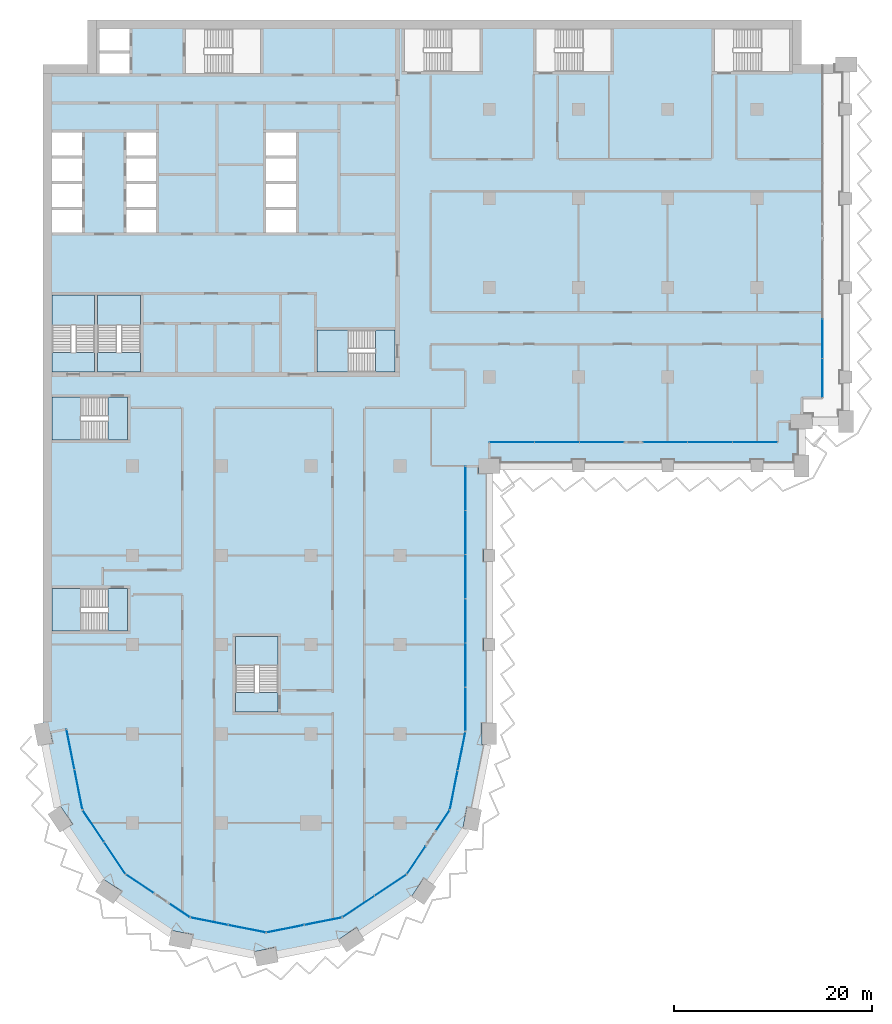
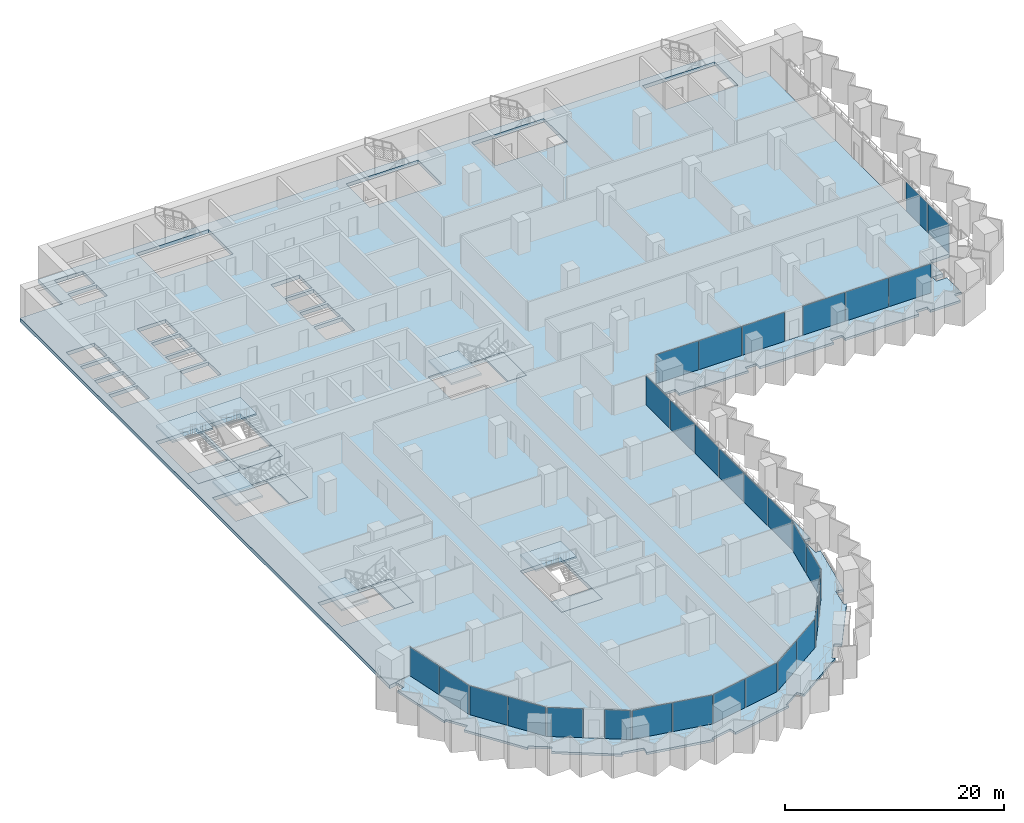
# One storey, part 7 of 22: 30 plates, 15 slabs, 20 elements without a shape of their own.
"""IFC4 building model written with IfcOpenShell, lengths in metres."""

from ifc_helpers import new_model, si_unit, direction, frame, origin, origin_2d, place, context, subcontext, project, spatial, polyline, rectangle, outline, extrude, material, layer, layer_set, type_object, element, aggregate, save


model = new_model("IFC4")

# Units and contexts
model_context = context("Model", 3, precision=1e-05, world=origin(), true_north=direction((0.0, 1.0)))
body_context = subcontext(model_context, "Body", "Model", "MODEL_VIEW")
ifc_project = project(units=[si_unit("LENGTHUNIT", "METRE"), si_unit("AREAUNIT", "SQUARE_METRE"), si_unit("VOLUMEUNIT", "CUBIC_METRE"), si_unit("PLANEANGLEUNIT", "RADIAN"), si_unit("MASSUNIT", "GRAM", prefix="KILO")], contexts=[model_context])

# Site, building, storey
site_placement = place(None, origin())
site = spatial("IfcSite", under=ifc_project, at=site_placement, CompositionType="ELEMENT")
building_placement = place(site_placement, origin())
building = spatial("IfcBuilding", under=site, at=building_placement, Name="Hunhe Ridgeline Campus", CompositionType="ELEMENT")
storey_placement = place(building_placement, frame((0.0, 0.0, 118.10009765625)))
storey = spatial("IfcBuildingStorey", under=building, at=storey_placement, Name="L29", CompositionType="ELEMENT", Elevation=118.10009765625)

# Curtain wall, plates
ifc_material_1 = material(Name="Aluminium 6063", Category="aluminium")
curtain_wall_type_1 = type_object("IfcCurtainWallType", Name="Curtain wall CW-5", PredefinedType="NOTDEFINED", material=ifc_material_1)
curtain_wall_1_placement = place(storey_placement, origin())
curtain_wall_1 = element("IfcCurtainWall", 1, at=curtain_wall_1_placement, inside=storey, type_object=curtain_wall_type_1, Name="Curtain wall 01", PredefinedType="NOTDEFINED")
ifc_material_2 = material(Name="Low-e laminated glass", Category="glass")
ifc_layer_1 = layer(ifc_material_2, 0.028076171875)
ifc_layer_set_1 = layer_set([ifc_layer_1], Name="Curtain wall glass panel 28 low-e laminated")
plate_type = type_object("IfcPlateType", Name="Curtain wall glass panel 28 low-e laminated", PredefinedType="CURTAIN_PANEL", material=ifc_layer_set_1)
plate_1_placement = place(storey_placement, frame((2.76318359375, 25.416015625, 0.0), z_axis=(0.0, 0.0, 1.0), x_axis=(0.195095347137, -0.980784280831, 0.0)))
plate_1 = element("IfcPlate", 2, at=plate_1_placement, type_object=plate_type, Name="CW-5 panel 1", PredefinedType="CURTAIN_PANEL", context=body_context, shape_type="SweptSolid", body=[
    extrude(rectangle(XDim=4.0458984375, YDim=0.028076171875, at=origin_2d()), origin(), (0.0, 0.0, 1.0), 3.22998046875),
])
plate_2_placement = place(storey_placement, frame((3.566162109375, 21.379150390625, 0.0), z_axis=(0.0, 0.0, 1.0), x_axis=(0.195095347137, -0.980784280831, 0.0)))
plate_2 = element("IfcPlate", 3, at=plate_2_placement, type_object=plate_type, Name="CW-5 panel 2", PredefinedType="CURTAIN_PANEL", context=body_context, shape_type="SweptSolid", body=[
    extrude(rectangle(XDim=4.0458984375, YDim=0.028076171875, at=origin_2d()), origin(), (0.0, 0.0, 1.0), 3.22998046875),
])
aggregate(curtain_wall_1, [plate_1, plate_2])

curtain_wall_2_placement = place(storey_placement, origin())
curtain_wall_2 = element("IfcCurtainWall", 4, at=curtain_wall_2_placement, inside=storey, type_object=curtain_wall_type_1, Name="Curtain wall 02", PredefinedType="NOTDEFINED")
plate_3_placement = place(storey_placement, frame((5.07080078125, 17.685546875, 0.0), z_axis=(0.0, 0.0, 1.0), x_axis=(0.555570274596, -0.831469584522, 0.0)))
plate_3 = element("IfcPlate", 5, at=plate_3_placement, type_object=plate_type, Name="CW-5 panel 1", PredefinedType="CURTAIN_PANEL", context=body_context, shape_type="SweptSolid", body=[
    extrude(rectangle(XDim=3.806884765625, YDim=0.028076171875, at=origin_2d()), origin(), (0.0, 0.0, 1.0), 3.22998046875),
])
plate_4_placement = place(storey_placement, frame((7.224609375, 14.4619140625, 0.0), z_axis=(0.0, 0.0, 1.0), x_axis=(0.555570274596, -0.831469584522, 0.0)))
plate_4 = element("IfcPlate", 6, at=plate_4_placement, type_object=plate_type, Name="CW-5 panel 2", PredefinedType="CURTAIN_PANEL", context=body_context, shape_type="SweptSolid", body=[
    extrude(rectangle(XDim=3.806884765625, YDim=0.028076171875, at=origin_2d()), origin(), (0.0, 0.0, 1.0), 3.22998046875),
])
aggregate(curtain_wall_2, [plate_3, plate_4])

# Curtain wall, plate
curtain_wall_3_placement = place(storey_placement, origin())
curtain_wall_3 = element("IfcCurtainWall", 7, at=curtain_wall_3_placement, inside=storey, type_object=curtain_wall_type_1, Name="Curtain wall 03", PredefinedType="NOTDEFINED")
plate_5_placement = place(storey_placement, frame((9.76025390625, 11.859375, 0.0), z_axis=(0.0, 0.0, 1.0), x_axis=(0.831469595944, -0.555570257501, 0.0)))
plate_5 = element("IfcPlate", 8, at=plate_5_placement, type_object=plate_type, Name="CW-5 panel 1", PredefinedType="CURTAIN_PANEL", context=body_context, shape_type="SweptSolid", body=[
    extrude(rectangle(XDim=3.322021484375, YDim=0.028076171875, at=origin_2d()), origin(), (0.0, 0.0, 1.0), 3.22998046875),
])
aggregate(curtain_wall_3, [plate_5])

curtain_wall_4_placement = place(storey_placement, origin())
curtain_wall_4 = element("IfcCurtainWall", 9, at=curtain_wall_4_placement, inside=storey, type_object=curtain_wall_type_1, Name="Curtain wall 04", PredefinedType="NOTDEFINED")
plate_6_placement = place(storey_placement, frame((13.761474609375, 9.18603515625, 0.0), z_axis=(0.0, 0.0, 1.0), x_axis=(0.831469510353, -0.555570385598, 0.0)))
plate_6 = element("IfcPlate", 10, at=plate_6_placement, type_object=plate_type, Name="CW-5 panel 1", PredefinedType="CURTAIN_PANEL", context=body_context, shape_type="SweptSolid", body=[
    extrude(rectangle(XDim=2.421875, YDim=0.028076171875, at=origin_2d()), origin(), (0.0, 0.0, 1.0), 3.22998046875),
])
aggregate(curtain_wall_4, [plate_6])

# Curtain wall, plates
curtain_wall_5_placement = place(storey_placement, origin())
curtain_wall_5 = element("IfcCurtainWall", 11, at=curtain_wall_5_placement, inside=storey, type_object=curtain_wall_type_1, Name="Curtain wall 05", PredefinedType="NOTDEFINED")
plate_7_placement = place(storey_placement, frame((16.761962890625, 8.08935546875, 0.0), z_axis=(0.0, 0.0, 1.0), x_axis=(0.980785275326, -0.195090347539, 0.0)))
plate_7 = element("IfcPlate", 12, at=plate_7_placement, type_object=plate_type, Name="CW-5 panel 1", PredefinedType="CURTAIN_PANEL", context=body_context, shape_type="SweptSolid", body=[
    extrude(rectangle(XDim=3.806884765625, YDim=0.028076171875, at=origin_2d()), origin(), (0.0, 0.0, 1.0), 3.22998046875),
])
plate_8_placement = place(storey_placement, frame((20.564453125, 7.3330078125, 0.0), z_axis=(0.0, 0.0, 1.0), x_axis=(0.980785275326, -0.195090347539, 0.0)))
plate_8 = element("IfcPlate", 13, at=plate_8_placement, type_object=plate_type, Name="CW-5 panel 2", PredefinedType="CURTAIN_PANEL", context=body_context, shape_type="SweptSolid", body=[
    extrude(rectangle(XDim=3.806884765625, YDim=0.028076171875, at=origin_2d()), origin(), (0.0, 0.0, 1.0), 3.22998046875),
])
aggregate(curtain_wall_5, [plate_7, plate_8])

curtain_wall_6_placement = place(storey_placement, origin())
curtain_wall_6 = element("IfcCurtainWall", 14, at=curtain_wall_6_placement, inside=storey, type_object=curtain_wall_type_1, Name="Curtain wall 06", PredefinedType="NOTDEFINED")
plate_9_placement = place(storey_placement, frame((24.435546875, 7.3330078125, 0.0), z_axis=(0.0, 0.0, 1.0), x_axis=(0.980785275326, 0.195090347539, 0.0)))
plate_9 = element("IfcPlate", 15, at=plate_9_placement, type_object=plate_type, Name="CW-5 panel 1", PredefinedType="CURTAIN_PANEL", context=body_context, shape_type="SweptSolid", body=[
    extrude(rectangle(XDim=3.806884765625, YDim=0.028076171875, at=origin_2d()), origin(), (0.0, 0.0, 1.0), 3.22998046875),
])
plate_10_placement = place(storey_placement, frame((28.238037109375, 8.08935546875, 0.0), z_axis=(0.0, 0.0, 1.0), x_axis=(0.980785275326, 0.195090347539, 0.0)))
plate_10 = element("IfcPlate", 16, at=plate_10_placement, type_object=plate_type, Name="CW-5 panel 2", PredefinedType="CURTAIN_PANEL", context=body_context, shape_type="SweptSolid", body=[
    extrude(rectangle(XDim=3.806884765625, YDim=0.028076171875, at=origin_2d()), origin(), (0.0, 0.0, 1.0), 3.22998046875),
])
aggregate(curtain_wall_6, [plate_9, plate_10])

curtain_wall_7_placement = place(storey_placement, origin())
curtain_wall_7 = element("IfcCurtainWall", 17, at=curtain_wall_7_placement, inside=storey, type_object=curtain_wall_type_1, Name="Curtain wall 07", PredefinedType="NOTDEFINED")
plate_11_placement = place(storey_placement, frame((31.814453125, 9.57080078125, 0.0), z_axis=(0.0, 0.0, 1.0), x_axis=(0.831469584522, 0.555570274596, 0.0)))
plate_11 = element("IfcPlate", 18, at=plate_11_placement, type_object=plate_type, Name="CW-5 panel 1", PredefinedType="CURTAIN_PANEL", context=body_context, shape_type="SweptSolid", body=[
    extrude(rectangle(XDim=3.806884765625, YDim=0.028076171875, at=origin_2d()), origin(), (0.0, 0.0, 1.0), 3.22998046875),
])
plate_12_placement = place(storey_placement, frame((35.0380859375, 11.724609375, 0.0), z_axis=(0.0, 0.0, 1.0), x_axis=(0.831469584522, 0.555570274596, 0.0)))
plate_12 = element("IfcPlate", 19, at=plate_12_placement, type_object=plate_type, Name="CW-5 panel 2", PredefinedType="CURTAIN_PANEL", context=body_context, shape_type="SweptSolid", body=[
    extrude(rectangle(XDim=3.806884765625, YDim=0.028076171875, at=origin_2d()), origin(), (0.0, 0.0, 1.0), 3.22998046875),
])
aggregate(curtain_wall_7, [plate_11, plate_12])

# Curtain wall, plate
curtain_wall_8_placement = place(storey_placement, origin())
curtain_wall_8 = element("IfcCurtainWall", 20, at=curtain_wall_8_placement, inside=storey, type_object=curtain_wall_type_1, Name="Curtain wall 08", PredefinedType="NOTDEFINED")
plate_13_placement = place(storey_placement, frame((37.640625, 14.26025390625, 0.0), z_axis=(0.0, 0.0, 1.0), x_axis=(0.555570257501, 0.831469595944, 0.0)))
plate_13 = element("IfcPlate", 21, at=plate_13_placement, type_object=plate_type, Name="CW-5 panel 1", PredefinedType="CURTAIN_PANEL", context=body_context, shape_type="SweptSolid", body=[
    extrude(rectangle(XDim=3.322021484375, YDim=0.028076171875, at=origin_2d()), origin(), (0.0, 0.0, 1.0), 3.22998046875),
])
aggregate(curtain_wall_8, [plate_13])

curtain_wall_9_placement = place(storey_placement, origin())
curtain_wall_9 = element("IfcCurtainWall", 22, at=curtain_wall_9_placement, inside=storey, type_object=curtain_wall_type_1, Name="Curtain wall 09", PredefinedType="NOTDEFINED")
plate_14_placement = place(storey_placement, frame((40.31396484375, 18.261474609375, 0.0), z_axis=(0.0, 0.0, 1.0), x_axis=(0.555570385598, 0.831469510353, 0.0)))
plate_14 = element("IfcPlate", 23, at=plate_14_placement, type_object=plate_type, Name="CW-5 panel 1", PredefinedType="CURTAIN_PANEL", context=body_context, shape_type="SweptSolid", body=[
    extrude(rectangle(XDim=2.421875, YDim=0.028076171875, at=origin_2d()), origin(), (0.0, 0.0, 1.0), 3.22998046875),
])
aggregate(curtain_wall_9, [plate_14])

# Curtain wall, plates
curtain_wall_10_placement = place(storey_placement, origin())
curtain_wall_10 = element("IfcCurtainWall", 24, at=curtain_wall_10_placement, inside=storey, type_object=curtain_wall_type_1, Name="Curtain wall 10", PredefinedType="NOTDEFINED")
plate_15_placement = place(storey_placement, frame((41.42236328125, 21.321044921875, 0.0), z_axis=(0.0, 0.0, 1.0), x_axis=(0.195090299215, 0.980785284939, 0.0)))
plate_15 = element("IfcPlate", 25, at=plate_15_placement, type_object=plate_type, Name="CW-5 panel 1", PredefinedType="CURTAIN_PANEL", context=body_context, shape_type="SweptSolid", body=[
    extrude(rectangle(XDim=3.927490234375, YDim=0.028076171875, at=origin_2d()), origin(), (0.0, 0.0, 1.0), 3.22998046875),
])
plate_16_placement = place(storey_placement, frame((42.2021484375, 25.24169921875, 0.0), z_axis=(0.0, 0.0, 1.0), x_axis=(0.195090299215, 0.980785284939, 0.0)))
plate_16 = element("IfcPlate", 26, at=plate_16_placement, type_object=plate_type, Name="CW-5 panel 2", PredefinedType="CURTAIN_PANEL", context=body_context, shape_type="SweptSolid", body=[
    extrude(rectangle(XDim=3.927490234375, YDim=0.028076171875, at=origin_2d()), origin(), (0.0, 0.0, 1.0), 3.22998046875),
])
aggregate(curtain_wall_10, [plate_15, plate_16])

curtain_wall_type_2 = type_object("IfcCurtainWallType", Name="Curtain wall CW-1", PredefinedType="NOTDEFINED", material=ifc_material_1)
curtain_wall_11_placement = place(storey_placement, origin())
curtain_wall_11 = element("IfcCurtainWall", 27, at=curtain_wall_11_placement, inside=storey, type_object=curtain_wall_type_2, Name="Curtain wall 11", PredefinedType="NOTDEFINED")
plate_17_placement = place(storey_placement, frame((42.59912109375, 29.48193359375, 0.0), z_axis=(0.0, 0.0, 1.0), x_axis=(1.0947456e-05, 0.99999999994, 0.0)))
plate_17 = element("IfcPlate", 28, at=plate_17_placement, type_object=plate_type, Name="CW-1 panel 1", PredefinedType="CURTAIN_PANEL", context=body_context, shape_type="SweptSolid", body=[
    extrude(rectangle(XDim=4.37060546875, YDim=0.028076171875, at=origin_2d()), origin(), (0.0, 0.0, 1.0), 3.239990234375),
])
plate_18_placement = place(storey_placement, frame((42.59912109375, 33.927490234375, 0.0), z_axis=(0.0, 0.0, 1.0), x_axis=(1.0947456e-05, 0.99999999994, 0.0)))
plate_18 = element("IfcPlate", 29, at=plate_18_placement, type_object=plate_type, Name="CW-1 panel 2", PredefinedType="CURTAIN_PANEL", context=body_context, shape_type="SweptSolid", body=[
    extrude(rectangle(XDim=4.400634765625, YDim=0.028076171875, at=origin_2d()), origin(), (0.0, 0.0, 1.0), 3.239990234375),
])
plate_19_placement = place(storey_placement, frame((42.59912109375, 38.38818359375, 0.0), z_axis=(0.0, 0.0, 1.0), x_axis=(1.0947456e-05, 0.99999999994, 0.0)))
plate_19 = element("IfcPlate", 30, at=plate_19_placement, type_object=plate_type, Name="CW-1 panel 3", PredefinedType="CURTAIN_PANEL", context=body_context, shape_type="SweptSolid", body=[
    extrude(rectangle(XDim=4.400634765625, YDim=0.028076171875, at=origin_2d()), origin(), (0.0, 0.0, 1.0), 3.239990234375),
])
plate_20_placement = place(storey_placement, frame((42.59912109375, 42.848876953125, 0.0), z_axis=(0.0, 0.0, 1.0), x_axis=(1.0947456e-05, 0.99999999994, 0.0)))
plate_20 = element("IfcPlate", 31, at=plate_20_placement, type_object=plate_type, Name="CW-1 panel 4", PredefinedType="CURTAIN_PANEL", context=body_context, shape_type="SweptSolid", body=[
    extrude(rectangle(XDim=4.400634765625, YDim=0.028076171875, at=origin_2d()), origin(), (0.0, 0.0, 1.0), 3.239990234375),
])
plate_21_placement = place(storey_placement, frame((42.59912109375, 47.3095703125, 0.0), z_axis=(0.0, 0.0, 1.0), x_axis=(1.0947456e-05, 0.99999999994, 0.0)))
plate_21 = element("IfcPlate", 32, at=plate_21_placement, type_object=plate_type, Name="CW-1 panel 5", PredefinedType="CURTAIN_PANEL", context=body_context, shape_type="SweptSolid", body=[
    extrude(rectangle(XDim=4.400634765625, YDim=0.028076171875, at=origin_2d()), origin(), (0.0, 0.0, 1.0), 3.239990234375),
])
plate_22_placement = place(storey_placement, frame((42.599365234375, 51.75537109375, 0.0), z_axis=(0.0, 0.0, 1.0), x_axis=(1.0947456e-05, 0.99999999994, 0.0)))
plate_22 = element("IfcPlate", 33, at=plate_22_placement, type_object=plate_type, Name="CW-1 panel 6", PredefinedType="CURTAIN_PANEL", context=body_context, shape_type="SweptSolid", body=[
    extrude(rectangle(XDim=4.37060546875, YDim=0.028076171875, at=origin_2d()), origin(), (0.0, 0.0, 1.0), 3.239990234375),
])
aggregate(curtain_wall_11, [plate_17, plate_18, plate_19, plate_20, plate_21, plate_22])

curtain_wall_12_placement = place(storey_placement, origin())
curtain_wall_12 = element("IfcCurtainWall", 34, at=curtain_wall_12_placement, inside=storey, type_object=curtain_wall_type_2, Name="Curtain wall 12", PredefinedType="NOTDEFINED")
plate_23_placement = place(storey_placement, frame((47.289794921875, 56.40087890625, 0.0), z_axis=(0.0, 0.0, 1.0), x_axis=(1.0, 1.4652e-07, 0.0)))
plate_23 = element("IfcPlate", 35, at=plate_23_placement, type_object=plate_type, Name="CW-1 panel 1", PredefinedType="CURTAIN_PANEL", context=body_context, shape_type="SweptSolid", body=[
    extrude(rectangle(XDim=4.4599609375, YDim=0.028076171875, at=origin_2d()), origin(), (0.0, 0.0, 1.0), 3.239990234375),
])
plate_24_placement = place(storey_placement, frame((51.82470703125, 56.40087890625, 0.0), z_axis=(0.0, 0.0, 1.0), x_axis=(1.0, 1.4652e-07, 0.0)))
plate_24 = element("IfcPlate", 36, at=plate_24_placement, type_object=plate_type, Name="CW-1 panel 2", PredefinedType="CURTAIN_PANEL", context=body_context, shape_type="SweptSolid", body=[
    extrude(rectangle(XDim=4.48974609375, YDim=0.028076171875, at=origin_2d()), origin(), (0.0, 0.0, 1.0), 3.239990234375),
])
plate_25_placement = place(storey_placement, frame((56.359619140625, 56.40087890625, 0.0), z_axis=(0.0, 0.0, 1.0), x_axis=(1.0, 1.4652e-07, 0.0)))
plate_25 = element("IfcPlate", 37, at=plate_25_placement, type_object=plate_type, Name="CW-1 panel 3", PredefinedType="CURTAIN_PANEL", context=body_context, shape_type="SweptSolid", body=[
    extrude(rectangle(XDim=4.4599609375, YDim=0.028076171875, at=origin_2d()), origin(), (0.0, 0.0, 1.0), 3.239990234375),
])
aggregate(curtain_wall_12, [plate_23, plate_24, plate_25])

curtain_wall_13_placement = place(storey_placement, origin())
curtain_wall_13 = element("IfcCurtainWall", 38, at=curtain_wall_13_placement, inside=storey, type_object=curtain_wall_type_2, Name="Curtain wall 13", PredefinedType="NOTDEFINED")
plate_26_placement = place(storey_placement, frame((62.7392578125, 56.40087890625, 0.0), z_axis=(0.0, 0.0, 1.0), x_axis=(1.0, 1.4652e-07, 0.0)))
plate_26 = element("IfcPlate", 39, at=plate_26_placement, type_object=plate_type, Name="CW-1 panel 1", PredefinedType="CURTAIN_PANEL", context=body_context, shape_type="SweptSolid", body=[
    extrude(rectangle(XDim=4.4599609375, YDim=0.028076171875, at=origin_2d()), origin(), (0.0, 0.0, 1.0), 3.239990234375),
])
plate_27_placement = place(storey_placement, frame((67.274169921875, 56.40087890625, 0.0), z_axis=(0.0, 0.0, 1.0), x_axis=(1.0, 1.4652e-07, 0.0)))
plate_27 = element("IfcPlate", 40, at=plate_27_placement, type_object=plate_type, Name="CW-1 panel 2", PredefinedType="CURTAIN_PANEL", context=body_context, shape_type="SweptSolid", body=[
    extrude(rectangle(XDim=4.48974609375, YDim=0.028076171875, at=origin_2d()), origin(), (0.0, 0.0, 1.0), 3.239990234375),
])
plate_28_placement = place(storey_placement, frame((71.80908203125, 56.40087890625, 0.0), z_axis=(0.0, 0.0, 1.0), x_axis=(1.0, 1.4652e-07, 0.0)))
plate_28 = element("IfcPlate", 41, at=plate_28_placement, type_object=plate_type, Name="CW-1 panel 3", PredefinedType="CURTAIN_PANEL", context=body_context, shape_type="SweptSolid", body=[
    extrude(rectangle(XDim=4.4599609375, YDim=0.028076171875, at=origin_2d()), origin(), (0.0, 0.0, 1.0), 3.239990234375),
])
aggregate(curtain_wall_13, [plate_26, plate_27, plate_28])

curtain_wall_14_placement = place(storey_placement, origin())
curtain_wall_14 = element("IfcCurtainWall", 42, at=curtain_wall_14_placement, inside=storey, type_object=curtain_wall_type_2, Name="Curtain wall 14", PredefinedType="NOTDEFINED")
plate_29_placement = place(storey_placement, frame((78.59912109375, 62.9033203125, 0.0), z_axis=(0.0, 0.0, 1.0), x_axis=(0.0, 1.0, 0.0)))
plate_29 = element("IfcPlate", 43, at=plate_29_placement, type_object=plate_type, Name="CW-1 panel 1", PredefinedType="CURTAIN_PANEL", context=body_context, shape_type="SweptSolid", body=[
    extrude(rectangle(XDim=3.884765625, YDim=0.028076171875, at=origin_2d()), origin(), (0.0, 0.0, 1.0), 3.239990234375),
])
plate_30_placement = place(storey_placement, frame((78.59912109375, 66.86328125, 0.0), z_axis=(0.0, 0.0, 1.0), x_axis=(0.0, 1.0, 0.0)))
plate_30 = element("IfcPlate", 44, at=plate_30_placement, type_object=plate_type, Name="CW-1 panel 2", PredefinedType="CURTAIN_PANEL", context=body_context, shape_type="SweptSolid", body=[
    extrude(rectangle(XDim=3.914794921875, YDim=0.028076171875, at=origin_2d()), origin(), (0.0, 0.0, 1.0), 3.239990234375),
])
aggregate(curtain_wall_14, [plate_29, plate_30])

# Slabs
ifc_material_3 = material(Name="Concrete C40", Category="concrete")
ifc_layer_2 = layer(ifc_material_3, 0.39990234375)
ifc_layer_set_2 = layer_set([ifc_layer_2], Name="Floor slab 400 Concrete C40")
slab_type_1 = type_object("IfcSlabType", Name="Floor slab 400 Concrete C40", PredefinedType="FLOOR", material=ifc_layer_set_2)
slab_1_placement = place(storey_placement, frame((0.0, 0.0, -0.400146484375)))
element("IfcSlab", 45, at=slab_1_placement, inside=storey, type_object=slab_type_1, Name="Floor slab L29 1", PredefinedType="FLOOR", context=body_context, shape_type="SweptSolid", body=[
    extrude(outline(polyline([(0.0, 27.0009765625), (2.354736328125, 27.46875), (3.974365234375, 19.326416015625), (8.321044921875, 12.821044921875), (14.826416015625, 8.474365234375), (22.5, 6.947998046875), (30.173583984375, 8.474365234375), (36.678955078125, 12.821044921875), (41.025634765625, 19.326416015625), (42.59912109375, 27.236572265625), (42.599365234375, 54.000732421875), (44.9990234375, 54.0009765625), (45.0, 56.40087890625), (74.09912109375, 56.40087890625), (74.099365234375, 58.500732421875), (76.4990234375, 58.5009765625), (76.499267578125, 60.900634765625), (78.59912109375, 60.90087890625), (78.59912109375, 94.5), (76.5, 94.5), (76.5, 99.0), (4.5, 99.0), (4.5, 94.5), (0.0, 94.5), (0.0, 27.0009765625)]), holes=[polyline([(67.699951171875, 93.800048828125), (75.300048828125, 93.800048828125), (75.300048828125, 98.10009765625), (67.699951171875, 98.10009765625), (67.699951171875, 93.800048828125)]), polyline([(57.300048828125, 93.800048828125), (57.300048828125, 98.10009765625), (49.699951171875, 98.10009765625), (49.699951171875, 93.800048828125), (57.300048828125, 93.800048828125)]), polyline([(44.050048828125, 98.10009765625), (36.449951171875, 98.10009765625), (36.449951171875, 93.800048828125), (44.050048828125, 93.800048828125), (44.050048828125, 98.10009765625)]), polyline([(27.60009765625, 67.75), (27.60009765625, 63.5), (35.5, 63.5), (35.5, 67.75), (27.60009765625, 67.75)]), polyline([(25.5, 85.35009765625), (25.5, 87.64990234375), (22.5, 87.64990234375), (22.5, 85.35009765625), (25.5, 85.35009765625)]), polyline([(25.5, 85.050048828125), (22.5, 85.050048828125), (22.5, 82.75), (25.5, 82.75), (25.5, 85.050048828125)]), polyline([(22.5, 82.449951171875), (22.5, 80.14990234375), (25.5, 80.14990234375), (25.5, 82.449951171875), (22.5, 82.449951171875)]), polyline([(22.5, 77.550048828125), (25.5, 77.550048828125), (25.5, 79.85009765625), (22.5, 79.85009765625), (22.5, 77.550048828125)]), polyline([(19.39990234375, 29.199951171875), (23.699951171875, 29.199951171875), (23.699951171875, 36.800048828125), (19.39990234375, 36.800048828125), (19.39990234375, 29.199951171875)]), polyline([(21.949951171875, 98.10009765625), (14.35009765625, 98.10009765625), (14.35009765625, 93.60009765625), (21.949951171875, 93.60009765625), (21.949951171875, 98.10009765625)]), polyline([(8.39990234375, 82.449951171875), (8.39990234375, 80.14990234375), (11.39990234375, 80.14990234375), (11.39990234375, 82.449951171875), (8.39990234375, 82.449951171875)]), polyline([(11.39990234375, 85.35009765625), (11.39990234375, 87.64990234375), (8.39990234375, 87.64990234375), (8.39990234375, 85.35009765625), (11.39990234375, 85.35009765625)]), polyline([(11.39990234375, 85.050048828125), (8.39990234375, 85.050048828125), (8.39990234375, 82.75), (11.39990234375, 82.75), (11.39990234375, 85.050048828125)]), polyline([(8.39990234375, 77.550048828125), (11.39990234375, 77.550048828125), (11.39990234375, 79.85009765625), (8.39990234375, 79.85009765625), (8.39990234375, 77.550048828125)]), polyline([(5.5, 63.5), (9.800048828125, 63.5), (9.800048828125, 71.25), (5.5, 71.25), (5.5, 63.5)]), polyline([(5.699951171875, 98.10009765625), (5.699951171875, 95.89990234375), (8.699951171875, 95.89990234375), (8.699951171875, 98.10009765625), (5.699951171875, 98.10009765625)]), polyline([(5.699951171875, 93.60009765625), (8.699951171875, 93.60009765625), (8.699951171875, 95.60009765625), (5.699951171875, 95.60009765625), (5.699951171875, 93.60009765625)]), polyline([(0.89990234375, 60.949951171875), (0.89990234375, 56.64990234375), (8.5, 56.64990234375), (8.5, 60.949951171875), (0.89990234375, 60.949951171875)]), polyline([(0.89990234375, 37.35009765625), (8.5, 37.35009765625), (8.5, 41.64990234375), (0.89990234375, 41.64990234375), (0.89990234375, 37.35009765625)]), polyline([(5.199951171875, 63.5), (5.199951171875, 71.25), (0.89990234375, 71.25), (0.89990234375, 63.5), (5.199951171875, 63.5)]), polyline([(3.89990234375, 85.35009765625), (3.89990234375, 87.64990234375), (0.89990234375, 87.64990234375), (0.89990234375, 85.35009765625), (3.89990234375, 85.35009765625)]), polyline([(3.89990234375, 85.050048828125), (0.89990234375, 85.050048828125), (0.89990234375, 82.75), (3.89990234375, 82.75), (3.89990234375, 85.050048828125)]), polyline([(0.89990234375, 82.449951171875), (0.89990234375, 80.14990234375), (3.89990234375, 80.14990234375), (3.89990234375, 82.449951171875), (0.89990234375, 82.449951171875)]), polyline([(0.89990234375, 77.550048828125), (3.89990234375, 77.550048828125), (3.89990234375, 79.85009765625), (0.89990234375, 79.85009765625), (0.89990234375, 77.550048828125)])]), origin(), (0.0, 0.0, 1.0), 0.400146484375),
])
ifc_layer_3 = layer(ifc_material_3, 0.25)
ifc_layer_set_3 = layer_set([ifc_layer_3], Name="Loggia slab 250 Concrete C40")
slab_type_2 = type_object("IfcSlabType", Name="Loggia slab 250 Concrete C40", PredefinedType="FLOOR", material=ifc_layer_set_3)
slab_2_placement = place(storey_placement, frame((0.0, 0.0, -0.25)))
element("IfcSlab", 46, at=slab_2_placement, inside=storey, type_object=slab_type_2, Name="Loggia slab 1", PredefinedType="FLOOR", context=body_context, shape_type="SweptSolid", body=[
    extrude(outline(polyline([(30.173828125, 8.473388671875), (22.5, 6.947021484375), (14.826171875, 8.473388671875), (8.3203125, 12.8203125), (3.973388671875, 19.326171875), (2.35400390625, 27.46826171875), (0.735595703125, 27.146240234375), (0.9501953125, 26.0673828125), (0.214599609375, 25.921142578125), (1.48046875, 19.557373046875), (1.72509765625, 19.720947265625), (2.947509765625, 17.8916015625), (2.32373046875, 17.47509765625), (5.9287109375, 12.080078125), (6.092041015625, 12.32470703125), (7.92138671875, 11.1025390625), (7.504638671875, 10.47900390625), (12.899658203125, 6.874267578125), (12.95703125, 7.162841796875), (15.11474609375, 6.733642578125), (14.968505859375, 5.998046875), (21.332275390625, 4.732177734375), (21.27490234375, 5.02099609375), (23.4326171875, 5.4501953125), (23.578857421875, 4.714599609375), (29.942626953125, 5.98046875), (29.779052734375, 6.22509765625), (31.6083984375, 7.447509765625), (32.02490234375, 6.82373046875), (37.419921875, 10.4287109375), (37.17529296875, 10.592041015625), (38.3974609375, 12.42138671875), (39.02099609375, 12.004638671875), (42.625732421875, 17.399658203125), (42.337158203125, 17.45703125), (42.766357421875, 19.61474609375), (43.501953125, 19.468505859375), (44.78125, 25.89990234375), (44.25, 25.89990234375), (44.25, 28.10009765625), (45.0, 28.10009765625), (45.0, 35.39990234375), (44.39990234375, 35.39990234375), (44.39990234375, 36.60009765625), (45.0, 36.60009765625), (45.0, 44.39990234375), (44.39990234375, 44.39990234375), (44.39990234375, 45.60009765625), (45.0, 45.60009765625), (45.0, 53.25), (43.89990234375, 53.25), (43.89990234375, 54.0), (42.60009765625, 54.0), (42.60009765625, 27.236328125), (41.026611328125, 19.326171875), (36.6796875, 12.8203125), (30.173828125, 8.473388671875)])), origin(), (0.0, 0.0, 1.0), 0.25),
])
slab_3_placement = place(storey_placement, frame((0.0, 0.0, -0.25)))
element("IfcSlab", 47, at=slab_3_placement, inside=storey, type_object=slab_type_2, Name="Loggia slab 2", PredefinedType="FLOOR", context=body_context, shape_type="SweptSolid", body=[
    extrude(outline(polyline([(45.0, 54.75), (46.10009765625, 54.75), (46.10009765625, 54.0), (53.39990234375, 54.0), (53.39990234375, 54.60009765625), (54.60009765625, 54.60009765625), (54.60009765625, 54.0), (62.39990234375, 54.0), (62.39990234375, 54.60009765625), (63.60009765625, 54.60009765625), (63.60009765625, 54.0), (71.39990234375, 54.0), (71.39990234375, 54.60009765625), (72.60009765625, 54.60009765625), (72.60009765625, 54.0), (75.75, 54.0), (75.75, 55.10009765625), (76.5, 55.10009765625), (76.5, 57.75), (75.39990234375, 57.75), (75.39990234375, 58.5), (74.10009765625, 58.5), (74.10009765625, 56.39990234375), (45.0, 56.39990234375), (45.0, 54.75)])), origin(), (0.0, 0.0, 1.0), 0.25),
])

# Stair, slab
stair_type = type_object("IfcStairType", Name="Reinforced concrete dog-leg stair 1950 Concrete C40", PredefinedType="HALF_TURN_STAIR", material=ifc_material_3)
stair_1_placement = place(storey_placement, origin())
stair_1 = element("IfcStair", 48, at=stair_1_placement, inside=storey, type_object=stair_type, Name="L29 S2", PredefinedType="HALF_TURN_STAIR")
ifc_layer_4 = layer(ifc_material_3, 0.199951171875)
ifc_layer_set_4 = layer_set([ifc_layer_4], Name="Reinforced concrete stair landing 200 Concrete C40")
slab_type_3 = type_object("IfcSlabType", Name="Reinforced concrete stair landing 200 Concrete C40", PredefinedType="LANDING", material=ifc_layer_set_4)
slab_4_placement = place(storey_placement, frame((0.0, 0.0, 1.64990234375)))
slab_4 = element("IfcSlab", 49, at=slab_4_placement, type_object=slab_type_3, Name="ST2 landing 1", PredefinedType="LANDING", context=body_context, shape_type="SweptSolid", body=[
    extrude(outline(polyline([(30.75, 67.75), (27.60009765625, 67.75), (27.60009765625, 63.5), (30.75, 63.5), (30.75, 67.75)])), origin(), (0.0, 0.0, 1.0), 0.199951171875),
])
aggregate(stair_1, [slab_4])

# Slab
slab_5_placement = place(storey_placement, frame((0.0, 0.0, -0.2001953125)))
element("IfcSlab", 50, at=slab_5_placement, inside=storey, type_object=slab_type_3, Name="L29 stair S2 floor landing", PredefinedType="LANDING", context=body_context, shape_type="SweptSolid", body=[
    extrude(outline(polyline([(35.5, 67.75), (33.550048828125, 67.75), (33.550048828125, 63.5), (35.5, 63.5), (35.5, 67.75)])), origin(), (0.0, 0.0, 1.0), 0.2001953125),
])

# Stair, slab
stair_2_placement = place(storey_placement, origin())
stair_2 = element("IfcStair", 51, at=stair_2_placement, inside=storey, type_object=stair_type, Name="L29 S3", PredefinedType="HALF_TURN_STAIR")
slab_6_placement = place(storey_placement, frame((0.0, 0.0, 1.64990234375)))
slab_6 = element("IfcSlab", 52, at=slab_6_placement, type_object=slab_type_3, Name="ST3 landing 1", PredefinedType="LANDING", context=body_context, shape_type="SweptSolid", body=[
    extrude(outline(polyline([(5.199951171875, 68.25), (5.199951171875, 71.25), (0.89990234375, 71.25), (0.89990234375, 68.25), (5.199951171875, 68.25)])), origin(), (0.0, 0.0, 1.0), 0.199951171875),
])
aggregate(stair_2, [slab_6])

# Slab
slab_7_placement = place(storey_placement, frame((0.0, 0.0, -0.2001953125)))
element("IfcSlab", 53, at=slab_7_placement, inside=storey, type_object=slab_type_3, Name="L29 stair S3 floor landing", PredefinedType="LANDING", context=body_context, shape_type="SweptSolid", body=[
    extrude(outline(polyline([(5.199951171875, 63.5), (5.199951171875, 65.449951171875), (0.89990234375, 65.449951171875), (0.89990234375, 63.5), (5.199951171875, 63.5)])), origin(), (0.0, 0.0, 1.0), 0.2001953125),
])

# Stair, slab
stair_3_placement = place(storey_placement, origin())
stair_3 = element("IfcStair", 54, at=stair_3_placement, inside=storey, type_object=stair_type, Name="L29 S4", PredefinedType="HALF_TURN_STAIR")
slab_8_placement = place(storey_placement, frame((0.0, 0.0, 1.64990234375)))
slab_8 = element("IfcSlab", 55, at=slab_8_placement, type_object=slab_type_3, Name="ST4 landing 1", PredefinedType="LANDING", context=body_context, shape_type="SweptSolid", body=[
    extrude(outline(polyline([(9.800048828125, 68.25), (9.800048828125, 71.25), (5.5, 71.25), (5.5, 68.25), (9.800048828125, 68.25)])), origin(), (0.0, 0.0, 1.0), 0.199951171875),
])
aggregate(stair_3, [slab_8])

# Slab
slab_9_placement = place(storey_placement, frame((0.0, 0.0, -0.2001953125)))
element("IfcSlab", 56, at=slab_9_placement, inside=storey, type_object=slab_type_3, Name="L29 stair S4 floor landing", PredefinedType="LANDING", context=body_context, shape_type="SweptSolid", body=[
    extrude(outline(polyline([(9.800048828125, 63.5), (9.800048828125, 65.449951171875), (5.5, 65.449951171875), (5.5, 63.5), (9.800048828125, 63.5)])), origin(), (0.0, 0.0, 1.0), 0.2001953125),
])

# Stair, slab
stair_4_placement = place(storey_placement, origin())
stair_4 = element("IfcStair", 57, at=stair_4_placement, inside=storey, type_object=stair_type, Name="L29 W3", PredefinedType="HALF_TURN_STAIR")
slab_10_placement = place(storey_placement, frame((0.0, 0.0, 1.64990234375)))
slab_10 = element("IfcSlab", 58, at=slab_10_placement, type_object=slab_type_3, Name="ST9 landing 1", PredefinedType="LANDING", context=body_context, shape_type="SweptSolid", body=[
    extrude(outline(polyline([(23.699951171875, 33.949951171875), (23.699951171875, 36.800048828125), (19.39990234375, 36.800048828125), (19.39990234375, 33.949951171875), (23.699951171875, 33.949951171875)])), origin(), (0.0, 0.0, 1.0), 0.199951171875),
])
aggregate(stair_4, [slab_10])

# Slab
slab_11_placement = place(storey_placement, frame((0.0, 0.0, -0.2001953125)))
element("IfcSlab", 59, at=slab_11_placement, inside=storey, type_object=slab_type_3, Name="L29 stair W3 floor landing", PredefinedType="LANDING", context=body_context, shape_type="SweptSolid", body=[
    extrude(outline(polyline([(23.699951171875, 29.199951171875), (23.699951171875, 31.14990234375), (19.39990234375, 31.14990234375), (19.39990234375, 29.199951171875), (23.699951171875, 29.199951171875)])), origin(), (0.0, 0.0, 1.0), 0.2001953125),
])

# Stair, slab
stair_5_placement = place(storey_placement, origin())
stair_5 = element("IfcStair", 60, at=stair_5_placement, inside=storey, type_object=stair_type, Name="L29 W1", PredefinedType="HALF_TURN_STAIR")
slab_12_placement = place(storey_placement, frame((0.0, 0.0, 1.64990234375)))
slab_12 = element("IfcSlab", 61, at=slab_12_placement, type_object=slab_type_3, Name="ST11 landing 1", PredefinedType="LANDING", context=body_context, shape_type="SweptSolid", body=[
    extrude(outline(polyline([(3.75, 41.64990234375), (0.89990234375, 41.64990234375), (0.89990234375, 37.35009765625), (3.75, 37.35009765625), (3.75, 41.64990234375)])), origin(), (0.0, 0.0, 1.0), 0.199951171875),
])
aggregate(stair_5, [slab_12])

# Slab
slab_13_placement = place(storey_placement, frame((0.0, 0.0, -0.2001953125)))
element("IfcSlab", 62, at=slab_13_placement, inside=storey, type_object=slab_type_3, Name="L29 stair W1 floor landing", PredefinedType="LANDING", context=body_context, shape_type="SweptSolid", body=[
    extrude(outline(polyline([(8.5, 41.64990234375), (6.550048828125, 41.64990234375), (6.550048828125, 37.35009765625), (8.5, 37.35009765625), (8.5, 41.64990234375)])), origin(), (0.0, 0.0, 1.0), 0.2001953125),
])

# Stair, slab
stair_6_placement = place(storey_placement, origin())
stair_6 = element("IfcStair", 63, at=stair_6_placement, inside=storey, type_object=stair_type, Name="L29 W2", PredefinedType="HALF_TURN_STAIR")
slab_14_placement = place(storey_placement, frame((0.0, 0.0, 1.64990234375)))
slab_14 = element("IfcSlab", 64, at=slab_14_placement, type_object=slab_type_3, Name="ST12 landing 1", PredefinedType="LANDING", context=body_context, shape_type="SweptSolid", body=[
    extrude(outline(polyline([(3.75, 60.949951171875), (0.89990234375, 60.949951171875), (0.89990234375, 56.64990234375), (3.75, 56.64990234375), (3.75, 60.949951171875)])), origin(), (0.0, 0.0, 1.0), 0.199951171875),
])
aggregate(stair_6, [slab_14])

# Slab
slab_15_placement = place(storey_placement, frame((0.0, 0.0, -0.2001953125)))
element("IfcSlab", 65, at=slab_15_placement, inside=storey, type_object=slab_type_3, Name="L29 stair W2 floor landing", PredefinedType="LANDING", context=body_context, shape_type="SweptSolid", body=[
    extrude(outline(polyline([(8.5, 60.949951171875), (6.550048828125, 60.949951171875), (6.550048828125, 56.64990234375), (8.5, 56.64990234375), (8.5, 60.949951171875)])), origin(), (0.0, 0.0, 1.0), 0.2001953125),
])

save(model, "model.ifc")
